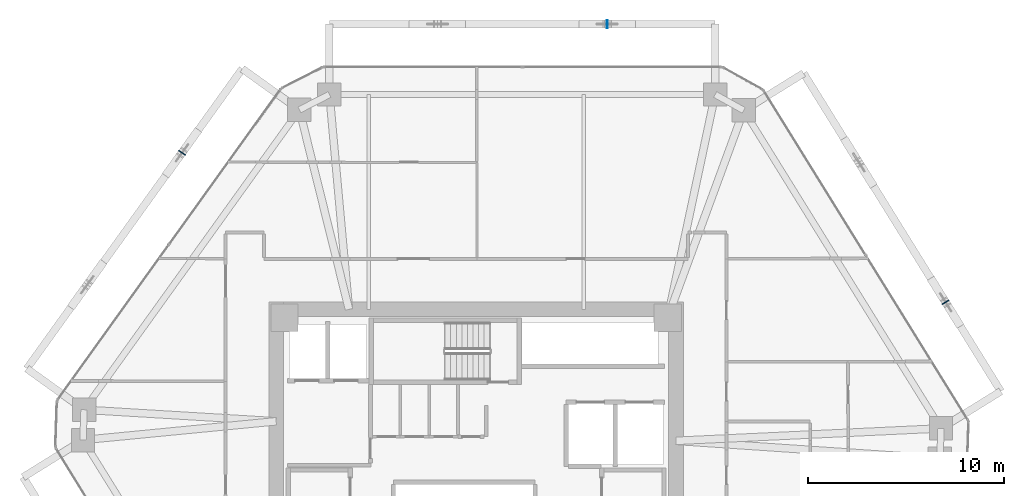
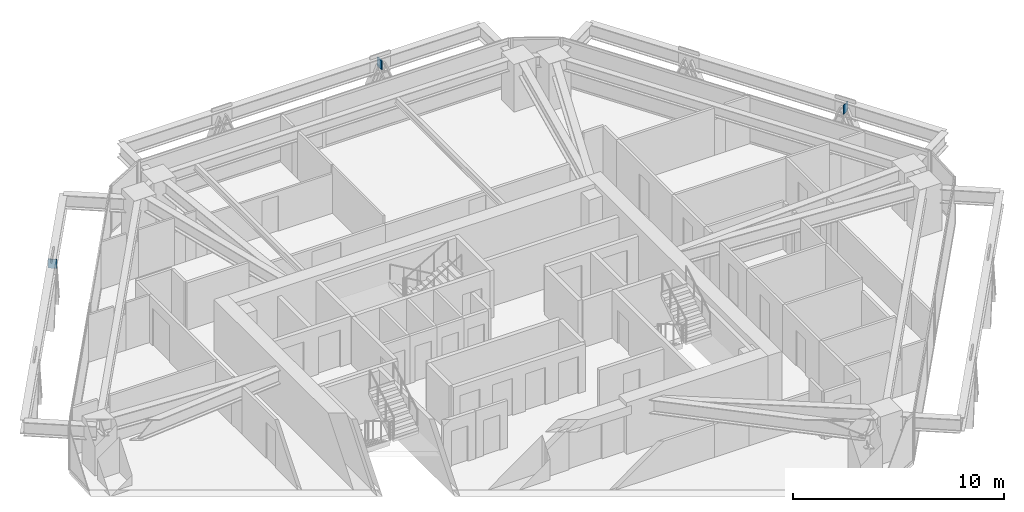
# One storey, part 11 of 17: 3 plates.
"""IFC4 building model written with IfcOpenShell, lengths in metres."""

from ifc_helpers import new_model, si_unit, direction, frame, origin, origin_2d, place, context, subcontext, project, spatial, rectangle, extrude, source, transform, mapped, material, layer, layer_set, type_object, type_shapes, element, save


model = new_model("IFC4")

# Units and contexts
model_context = context("Model", 3, precision=1e-05, world=origin(), true_north=direction((0.0, 1.0)))
body_context = subcontext(model_context, "Body", "Model", "MODEL_VIEW")
ifc_project = project(units=[si_unit("LENGTHUNIT", "METRE"), si_unit("AREAUNIT", "SQUARE_METRE"), si_unit("VOLUMEUNIT", "CUBIC_METRE"), si_unit("PLANEANGLEUNIT", "RADIAN"), si_unit("MASSUNIT", "GRAM", prefix="KILO")], contexts=[model_context])

# Site, building, storey
site_placement = place(None, origin())
site = spatial("IfcSite", under=ifc_project, at=site_placement, CompositionType="ELEMENT")
building_placement = place(site_placement, origin())
building = spatial("IfcBuilding", under=site, at=building_placement, Name="Durnholm Broadcast Tower", CompositionType="ELEMENT")
storey_placement = place(building_placement, frame((0.0, 0.0, 137.10009765625)))
storey = spatial("IfcBuildingStorey", under=building, at=storey_placement, Name="L37", CompositionType="ELEMENT", Elevation=137.10009765625)

# Plates
ifc_material = material(Name="Steel ASTM A572 Grade 50", Category="steel")
ifc_layer = layer(ifc_material, 0.044921875)
ifc_layer_set = layer_set([ifc_layer], Name="Steel ASTM A572 Grade 50")
plate_type = type_object("IfcPlateType", Name="PLT-KN-STIF", PredefinedType="SHEET", material=ifc_layer_set)
shared_shape = source(origin(), body_context, "Body", "SweptSolid", [
    extrude(rectangle(XDim=0.044921875, YDim=0.419921875, at=origin_2d()), origin(), (0.0, 0.0, 1.0), 0.52001953125),
])
type_shapes(plate_type, [shared_shape])
for number, where, z_axis, x_axis, name in (
    (1, (24.01513671875, 8.58837890625, 1.74853515625), (0.0, 0.0, 1.0), (-0.527104121728, 0.849800708906, 0.0), "L37 welded diagrid node stiffener plate F3"),
    (2, (6.7060546875, 22.81494140625, 1.74853515625), (0.0, 0.0, 1.0), (-1.0, 0.0, 0.0), "L37 welded diagrid node stiffener plate F4"),
    (3, (-15.040771484375, 16.234375, 1.74853515625), (0.0, 0.0, 1.0), (-0.583399467156, -0.812185361677, 0.0), "L37 welded diagrid node stiffener plate F5"),
):
    element("IfcPlate", number, at=place(storey_placement, frame(where, z_axis=z_axis, x_axis=x_axis)), inside=storey, type_object=plate_type, Name=name, PredefinedType="SHEET", context=body_context, shape_type="MappedRepresentation", body=[
        mapped(shared_shape, transform((0.0, 0.0, 0.0), x_axis=(1.0, 0.0, 0.0), y_axis=(0.0, 1.0, 0.0), z_axis=(0.0, 0.0, 1.0), scale=1.0)),
    ])

save(model, "model.ifc")
